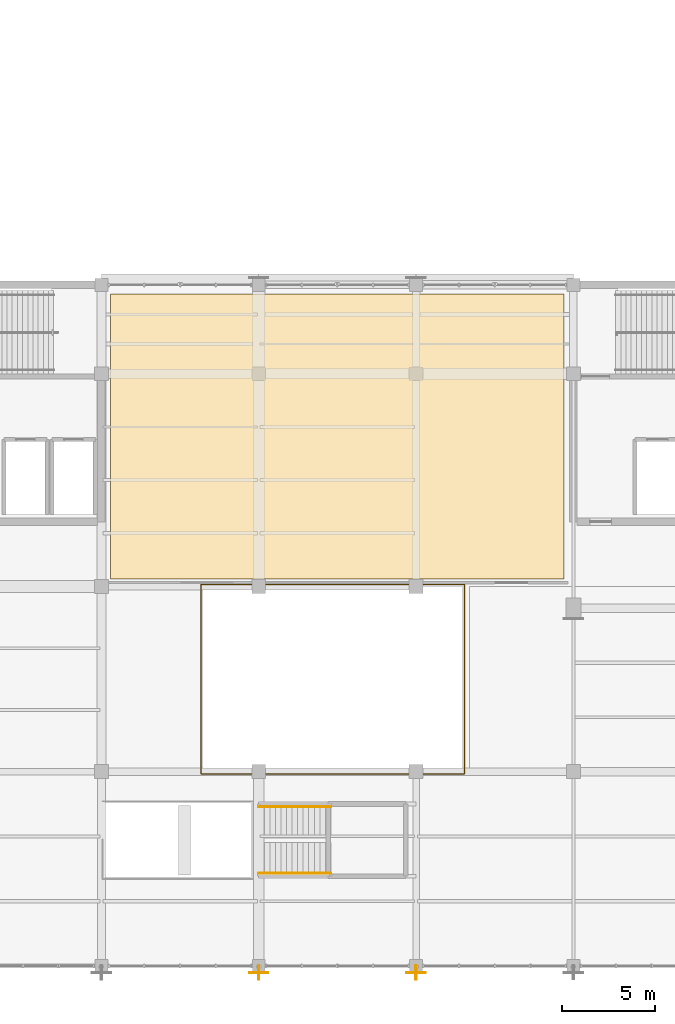
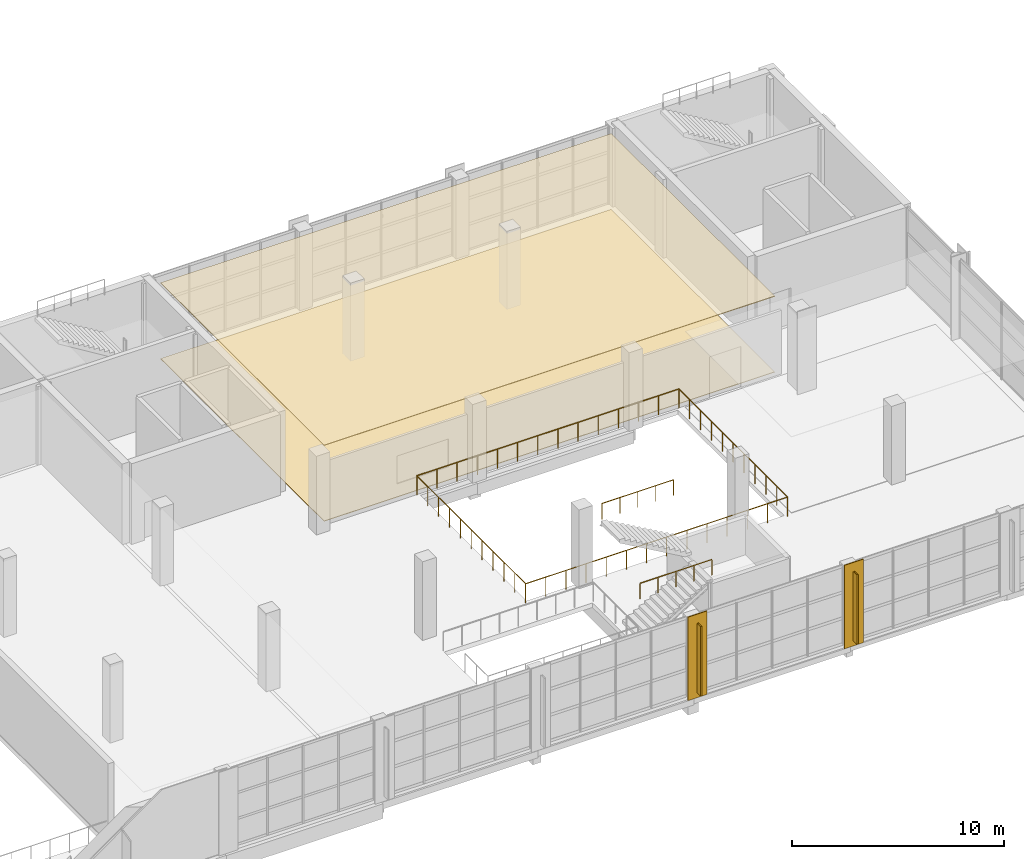
# One storey, part 100 of 112: 4 coverings, 3 railings, 2 shading devices.
"""IFC4 building model written with IfcOpenShell, lengths in metres."""

from ifc_helpers import new_model, si_unit, direction, frame, origin, origin_2d, place, context, subcontext, project, spatial, polyline, rectangle, hollow_rectangle, circle, outline, extrude, material, layer, layer_set, material_profile, profile_set, type_object, element, save


model = new_model("IFC4")

# Units and contexts
model_context = context("Model", 3, precision=1e-05, world=origin(), true_north=direction((0.0, 1.0)))
body_context = subcontext(model_context, "Body", "Model", "MODEL_VIEW")
ifc_project = project(units=[si_unit("LENGTHUNIT", "METRE"), si_unit("AREAUNIT", "SQUARE_METRE"), si_unit("VOLUMEUNIT", "CUBIC_METRE"), si_unit("PLANEANGLEUNIT", "RADIAN"), si_unit("MASSUNIT", "GRAM", prefix="KILO")], contexts=[model_context])

# Site, building, storey
site_placement = place(None, origin())
site = spatial("IfcSite", under=ifc_project, at=site_placement, CompositionType="ELEMENT")
building_placement = place(site_placement, origin())
building = spatial("IfcBuilding", under=site, at=building_placement, Name="Solvikara Media Centre", CompositionType="ELEMENT")
storey_placement = place(building_placement, frame((0.0, 0.0, 5.39990234375)))
storey = spatial("IfcBuildingStorey", under=building, at=storey_placement, Name="L01", CompositionType="ELEMENT", Elevation=5.39990234375)

# Coverings
ifc_material_1 = material(Name="Perforated acoustic gypsum ceiling board")
ifc_layer_1 = layer(ifc_material_1, 0.0400390625)
ifc_layer_set_1 = layer_set([ifc_layer_1], Name="Perforated acoustic gypsum ceiling board")
covering_type_1 = type_object("IfcCoveringType", Name="CV-01", PredefinedType="CEILING", material=ifc_layer_set_1)
covering_1_placement = place(storey_placement, frame((0.0, 0.0, 4.35009765625)))
element("IfcCovering", 1, at=covering_1_placement, inside=storey, type_object=covering_type_1, Name="CLG-024", PredefinedType="CEILING", context=body_context, shape_type="SweptSolid", body=[
    extrude(outline(polyline([(43.0, 20.89990234375), (67.5, 20.89990234375), (67.5, 36.300048828125), (43.0, 36.300048828125), (43.0, 20.89990234375)])), origin(), (0.0, 0.0, 1.0), 0.0400390625),
])
ifc_material_2 = material(Name="Polished terrazzo floor finish")
ifc_layer_2 = layer(ifc_material_2, 0.030029296875)
ifc_layer_set_2 = layer_set([ifc_layer_2], Name="Polished terrazzo floor finish")
covering_type_2 = type_object("IfcCoveringType", Name="CV-02", PredefinedType="FLOORING", material=ifc_layer_set_2)
covering_2_placement = place(storey_placement, origin())
element("IfcCovering", 2, at=covering_2_placement, inside=storey, type_object=covering_type_2, Name="FLR-024", PredefinedType="FLOORING", context=body_context, shape_type="SweptSolid", body=[
    extrude(outline(polyline([(43.0, 20.89990234375), (67.5, 20.89990234375), (67.5, 36.300048828125), (43.0, 36.300048828125), (43.0, 20.89990234375)])), origin(), (0.0, 0.0, 1.0), 0.030029296875),
])
ifc_material_3 = material(Name="GFRC white mineral architectural rainscreen panel")
ifc_layer_3 = layer(ifc_material_3, 0.050048828125)
ifc_layer_set_3 = layer_set([ifc_layer_3], Name="GFRC white mineral architectural rainscreen panel")
covering_type_3 = type_object("IfcCoveringType", Name="CV-04", PredefinedType="CLADDING", material=ifc_layer_set_3)
for number, where, z_axis, x_axis, name in (
    (3, (51.0, -0.375, 0.0), (0.0, 0.0, 1.0), (1.0, 0.0, 0.0), "PIL-L01-113"),
    (4, (59.5, -0.375, 0.0), (0.0, 0.0, 1.0), (1.0, 0.0, 0.0), "PIL-L01-128"),
):
    element("IfcCovering", number, at=place(storey_placement, frame(where, z_axis=z_axis, x_axis=x_axis)), inside=storey, type_object=covering_type_3, Name=name, PredefinedType="CLADDING", context=body_context, shape_type="SweptSolid", body=[
        extrude(rectangle(XDim=1.0400390625, YDim=0.050048828125, at=origin_2d()), origin(), (0.0, 0.0, 1.0), 4.800048828125),
    ])

# Railings
ifc_material_4 = material(Name="Steel S355JR", Category="steel")
railing_type_1 = type_object("IfcRailingType", Name="GR-02", PredefinedType="BALUSTRADE", material=ifc_material_4)
railing_1_placement = place(storey_placement, frame((47.8798828125, 10.3798828125, 0.0)))
element("IfcRailing", 5, at=railing_1_placement, inside=storey, type_object=railing_type_1, Name="GR-ATR-L01", PredefinedType="BALUSTRADE", context=body_context, shape_type="SweptSolid", body=[
    extrude(circle(Radius=0.02392578125, at=origin_2d()), frame((0.0, 0.0, 1.09619140625), z_axis=(1.0, 0.0, 0.0), x_axis=(0.0, 1.0, 0.0)), (0.0, 0.0, 1.0), 14.240234375),
    extrude(circle(Radius=0.02392578125, at=origin_2d()), frame((14.240234375, 0.0, 1.09619140625), z_axis=(0.0, 1.0, 0.0), x_axis=(-1.0, 0.0, 0.0)), (0.0, 0.0, 1.0), 10.240234375),
    extrude(circle(Radius=0.02392578125, at=origin_2d()), frame((14.240234375, 10.240234375, 1.09619140625), z_axis=(-1.0, 0.0, 0.0), x_axis=(0.0, -1.0, 0.0)), (0.0, 0.0, 1.0), 14.240234375),
    extrude(circle(Radius=0.02392578125, at=origin_2d()), frame((0.0, 10.240234375, 1.09619140625), z_axis=(0.0, -1.0, 0.0), x_axis=(1.0, 0.0, 0.0)), (0.0, 0.0, 1.0), 10.240234375),
    extrude(circle(Radius=0.02099609375, at=origin_2d()), origin(), (0.0, 0.0, 1.0), 1.072021484375),
    extrude(circle(Radius=0.02099609375, at=origin_2d()), frame((1.095458984375, 0.0, 0.0)), (0.0, 0.0, 1.0), 1.072021484375),
    extrude(circle(Radius=0.02099609375, at=origin_2d()), frame((2.19091796875, 0.0, 0.0)), (0.0, 0.0, 1.0), 1.072021484375),
    extrude(circle(Radius=0.02099609375, at=origin_2d()), frame((3.2861328125, 0.0, 0.0)), (0.0, 0.0, 1.0), 1.072021484375),
    extrude(circle(Radius=0.02099609375, at=origin_2d()), frame((4.381591796875, 0.0, 0.0)), (0.0, 0.0, 1.0), 1.072021484375),
    extrude(circle(Radius=0.02099609375, at=origin_2d()), frame((5.47705078125, 0.0, 0.0)), (0.0, 0.0, 1.0), 1.072021484375),
    extrude(circle(Radius=0.02099609375, at=origin_2d()), frame((6.572509765625, 0.0, 0.0)), (0.0, 0.0, 1.0), 1.072021484375),
    extrude(circle(Radius=0.02099609375, at=origin_2d()), frame((7.667724609375, 0.0, 0.0)), (0.0, 0.0, 1.0), 1.072021484375),
    extrude(circle(Radius=0.02099609375, at=origin_2d()), frame((8.76318359375, 0.0, 0.0)), (0.0, 0.0, 1.0), 1.072021484375),
    extrude(circle(Radius=0.02099609375, at=origin_2d()), frame((9.858642578125, 0.0, 0.0)), (0.0, 0.0, 1.0), 1.072021484375),
    extrude(circle(Radius=0.02099609375, at=origin_2d()), frame((10.9541015625, 0.0, 0.0)), (0.0, 0.0, 1.0), 1.072021484375),
    extrude(circle(Radius=0.02099609375, at=origin_2d()), frame((12.04931640625, 0.0, 0.0)), (0.0, 0.0, 1.0), 1.072021484375),
    extrude(circle(Radius=0.02099609375, at=origin_2d()), frame((13.144775390625, 0.0, 0.0)), (0.0, 0.0, 1.0), 1.072021484375),
    extrude(circle(Radius=0.02099609375, at=origin_2d()), frame((14.240234375, 0.0, 0.0)), (0.0, 0.0, 1.0), 1.072021484375),
    extrude(circle(Radius=0.02099609375, at=origin_2d()), frame((14.240234375, 1.02392578125, 0.0)), (0.0, 0.0, 1.0), 1.072021484375),
    extrude(circle(Radius=0.02099609375, at=origin_2d()), frame((14.240234375, 2.048095703125, 0.0)), (0.0, 0.0, 1.0), 1.072021484375),
    extrude(circle(Radius=0.02099609375, at=origin_2d()), frame((14.240234375, 3.072021484375, 0.0)), (0.0, 0.0, 1.0), 1.072021484375),
    extrude(circle(Radius=0.02099609375, at=origin_2d()), frame((14.240234375, 4.09619140625, 0.0)), (0.0, 0.0, 1.0), 1.072021484375),
    extrude(circle(Radius=0.02099609375, at=origin_2d()), frame((14.240234375, 5.1201171875, 0.0)), (0.0, 0.0, 1.0), 1.072021484375),
    extrude(circle(Radius=0.02099609375, at=origin_2d()), frame((14.240234375, 6.14404296875, 0.0)), (0.0, 0.0, 1.0), 1.072021484375),
    extrude(circle(Radius=0.02099609375, at=origin_2d()), frame((14.240234375, 7.168212890625, 0.0)), (0.0, 0.0, 1.0), 1.072021484375),
    extrude(circle(Radius=0.02099609375, at=origin_2d()), frame((14.240234375, 8.192138671875, 0.0)), (0.0, 0.0, 1.0), 1.072021484375),
    extrude(circle(Radius=0.02099609375, at=origin_2d()), frame((14.240234375, 9.21630859375, 0.0)), (0.0, 0.0, 1.0), 1.072021484375),
    extrude(circle(Radius=0.02099609375, at=origin_2d()), frame((14.240234375, 10.240234375, 0.0)), (0.0, 0.0, 1.0), 1.072021484375),
    extrude(circle(Radius=0.02099609375, at=origin_2d()), frame((13.144775390625, 10.240234375, 0.0)), (0.0, 0.0, 1.0), 1.072021484375),
    extrude(circle(Radius=0.02099609375, at=origin_2d()), frame((12.04931640625, 10.240234375, 0.0)), (0.0, 0.0, 1.0), 1.072021484375),
    extrude(circle(Radius=0.02099609375, at=origin_2d()), frame((10.9541015625, 10.240234375, 0.0)), (0.0, 0.0, 1.0), 1.072021484375),
    extrude(circle(Radius=0.02099609375, at=origin_2d()), frame((9.858642578125, 10.240234375, 0.0)), (0.0, 0.0, 1.0), 1.072021484375),
    extrude(circle(Radius=0.02099609375, at=origin_2d()), frame((8.76318359375, 10.240234375, 0.0)), (0.0, 0.0, 1.0), 1.072021484375),
    extrude(circle(Radius=0.02099609375, at=origin_2d()), frame((7.667724609375, 10.240234375, 0.0)), (0.0, 0.0, 1.0), 1.072021484375),
    extrude(circle(Radius=0.02099609375, at=origin_2d()), frame((6.572509765625, 10.240234375, 0.0)), (0.0, 0.0, 1.0), 1.072021484375),
    extrude(circle(Radius=0.02099609375, at=origin_2d()), frame((5.47705078125, 10.240234375, 0.0)), (0.0, 0.0, 1.0), 1.072021484375),
    extrude(circle(Radius=0.02099609375, at=origin_2d()), frame((4.381591796875, 10.240234375, 0.0)), (0.0, 0.0, 1.0), 1.072021484375),
    extrude(circle(Radius=0.02099609375, at=origin_2d()), frame((3.2861328125, 10.240234375, 0.0)), (0.0, 0.0, 1.0), 1.072021484375),
    extrude(circle(Radius=0.02099609375, at=origin_2d()), frame((2.19091796875, 10.240234375, 0.0)), (0.0, 0.0, 1.0), 1.072021484375),
    extrude(circle(Radius=0.02099609375, at=origin_2d()), frame((1.095458984375, 10.240234375, 0.0)), (0.0, 0.0, 1.0), 1.072021484375),
    extrude(circle(Radius=0.02099609375, at=origin_2d()), frame((0.0, 10.240234375, 0.0)), (0.0, 0.0, 1.0), 1.072021484375),
    extrude(circle(Radius=0.02099609375, at=origin_2d()), frame((0.0, 9.21630859375, 0.0)), (0.0, 0.0, 1.0), 1.072021484375),
    extrude(circle(Radius=0.02099609375, at=origin_2d()), frame((0.0, 8.192138671875, 0.0)), (0.0, 0.0, 1.0), 1.072021484375),
    extrude(circle(Radius=0.02099609375, at=origin_2d()), frame((0.0, 7.168212890625, 0.0)), (0.0, 0.0, 1.0), 1.072021484375),
    extrude(circle(Radius=0.02099609375, at=origin_2d()), frame((0.0, 6.14404296875, 0.0)), (0.0, 0.0, 1.0), 1.072021484375),
    extrude(circle(Radius=0.02099609375, at=origin_2d()), frame((0.0, 5.1201171875, 0.0)), (0.0, 0.0, 1.0), 1.072021484375),
    extrude(circle(Radius=0.02099609375, at=origin_2d()), frame((0.0, 4.09619140625, 0.0)), (0.0, 0.0, 1.0), 1.072021484375),
    extrude(circle(Radius=0.02099609375, at=origin_2d()), frame((0.0, 3.072021484375, 0.0)), (0.0, 0.0, 1.0), 1.072021484375),
    extrude(circle(Radius=0.02099609375, at=origin_2d()), frame((0.0, 2.048095703125, 0.0)), (0.0, 0.0, 1.0), 1.072021484375),
    extrude(circle(Radius=0.02099609375, at=origin_2d()), frame((0.0, 1.02392578125, 0.0)), (0.0, 0.0, 1.0), 1.072021484375),
])
railing_type_2 = type_object("IfcRailingType", Name="HR-01", PredefinedType="HANDRAIL", material=ifc_material_4)
railing_2_placement = place(storey_placement, frame((51.0, 5.0, 2.400146484375)))
element("IfcRailing", 6, at=railing_2_placement, inside=storey, type_object=railing_type_2, Name="HR-FOY-2A", PredefinedType="HANDRAIL", context=body_context, shape_type="SweptSolid", body=[
    extrude(circle(Radius=0.02392578125, at=origin_2d()), frame((0.0, 0.0, 0.89599609375), z_axis=(1.0, 0.0, 0.0), x_axis=(0.0, 1.0, 0.0)), (0.0, 0.0, 1.0), 3.89990234375),
    extrude(circle(Radius=0.02099609375, at=origin_2d()), origin(), (0.0, 0.0, 1.0), 0.871826171875),
    extrude(circle(Radius=0.02099609375, at=origin_2d()), frame((0.97509765625, 0.0, 0.0)), (0.0, 0.0, 1.0), 0.871826171875),
    extrude(circle(Radius=0.02099609375, at=origin_2d()), frame((1.949951171875, 0.0, 0.0)), (0.0, 0.0, 1.0), 0.871826171875),
    extrude(circle(Radius=0.02099609375, at=origin_2d()), frame((2.9248046875, 0.0, 0.0)), (0.0, 0.0, 1.0), 0.871826171875),
    extrude(circle(Radius=0.02099609375, at=origin_2d()), frame((3.89990234375, 0.0, 0.0)), (0.0, 0.0, 1.0), 0.871826171875),
])
railing_3_placement = place(storey_placement, frame((54.89990234375, 8.60009765625, 4.800048828125)))
element("IfcRailing", 7, at=railing_3_placement, inside=storey, type_object=railing_type_2, Name="HR-FOY-2B", PredefinedType="HANDRAIL", context=body_context, shape_type="SweptSolid", body=[
    extrude(circle(Radius=0.02392578125, at=origin_2d()), frame((0.0, 0.0, 0.89599609375), z_axis=(-1.0, 0.0, 0.0), x_axis=(0.0, -1.0, 0.0)), (0.0, 0.0, 1.0), 3.89990234375),
    extrude(circle(Radius=0.02099609375, at=origin_2d()), origin(), (0.0, 0.0, 1.0), 0.871826171875),
    extrude(circle(Radius=0.02099609375, at=origin_2d()), frame((-0.97509765625, 0.0, 0.0)), (0.0, 0.0, 1.0), 0.871826171875),
    extrude(circle(Radius=0.02099609375, at=origin_2d()), frame((-1.949951171875, 0.0, 0.0)), (0.0, 0.0, 1.0), 0.871826171875),
    extrude(circle(Radius=0.02099609375, at=origin_2d()), frame((-2.9248046875, 0.0, 0.0)), (0.0, 0.0, 1.0), 0.871826171875),
    extrude(circle(Radius=0.02099609375, at=origin_2d()), frame((-3.89990234375, 0.0, 0.0)), (0.0, 0.0, 1.0), 0.871826171875),
])

# Shading devices
ifc_material_5 = material(Name="Anodised aluminium EN AW-6063", Category="aluminium")
ifc_material_profile = material_profile(ifc_material_5, hollow_rectangle(XDim=0.080078125, YDim=0.800048828125, WallThickness=0.00390625, at=origin_2d()), Name="ALU-FIN 80x800x4")
ifc_profile_set = profile_set([ifc_material_profile], Name="Anodised aluminium EN AW-6063")
shading_device_type = type_object("IfcShadingDeviceType", Name="SH-01", PredefinedType="USERDEFINED", material=ifc_profile_set)
for number, where, z_axis, x_axis, name in (
    (8, (51.0, -0.35009765625, 0.300048828125), (0.0, 0.0, 1.0), (1.0, 0.0, 0.0), "FIN-L01-003"),
    (9, (59.5, -0.35009765625, 0.300048828125), (0.0, 0.0, 1.0), (1.0, 0.0, 0.0), "FIN-L01-004"),
):
    element("IfcShadingDevice", number, at=place(storey_placement, frame(where, z_axis=z_axis, x_axis=x_axis)), inside=storey, type_object=shading_device_type, Name=name, ObjectType="FIN", PredefinedType="USERDEFINED", context=body_context, shape_type="SweptSolid", body=[
        extrude(hollow_rectangle(XDim=0.080078125, YDim=0.800048828125, WallThickness=0.00390625, at=origin_2d()), origin(), (0.0, 0.0, 1.0), 4.0),
    ])

save(model, "model.ifc")
